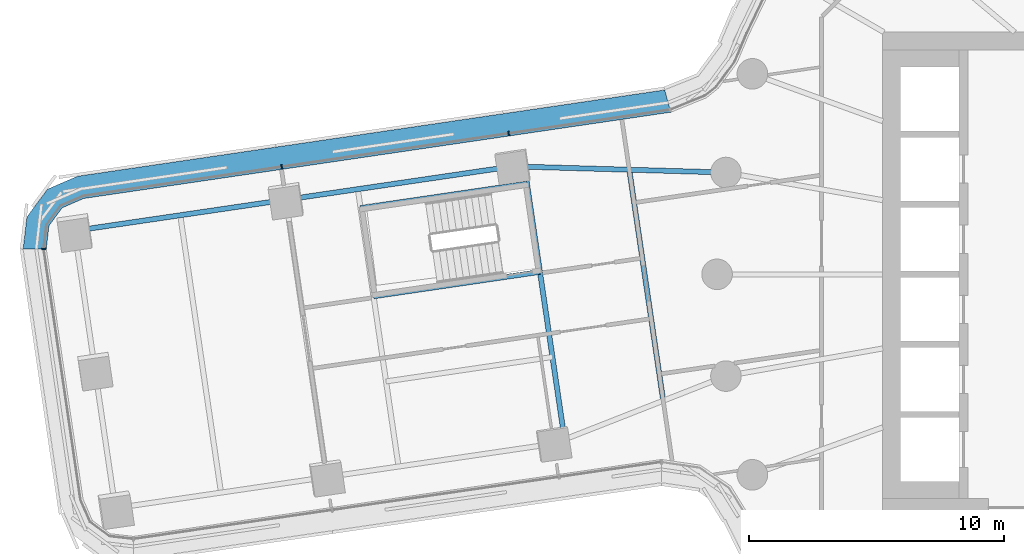
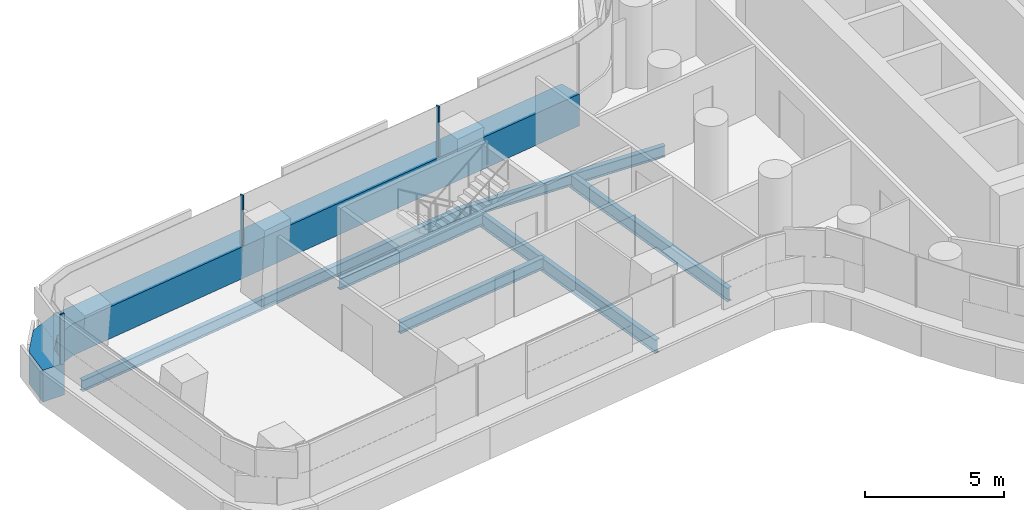
# One storey, part 6 of 31: 7 beams, 4 members, 2 elements without a shape of their own.
"""IFC4 building model written with IfcOpenShell, lengths in metres."""

from ifc_helpers import new_model, si_unit, direction, frame, origin, origin_2d, place, context, subcontext, project, spatial, polyline, rectangle, i_section, outline, extrude, material, layer, layer_set, material_profile, profile_set, type_object, element, aggregate, save


model = new_model("IFC4")

# Units and contexts
model_context = context("Model", 3, precision=1e-05, world=origin(), true_north=direction((0.0, 1.0)))
body_context = subcontext(model_context, "Body", "Model", "MODEL_VIEW")
ifc_project = project(units=[si_unit("LENGTHUNIT", "METRE"), si_unit("AREAUNIT", "SQUARE_METRE"), si_unit("VOLUMEUNIT", "CUBIC_METRE"), si_unit("PLANEANGLEUNIT", "RADIAN"), si_unit("MASSUNIT", "GRAM", prefix="KILO")], contexts=[model_context])

# Site, building, storey
site_placement = place(None, origin())
site = spatial("IfcSite", under=ifc_project, at=site_placement, CompositionType="ELEMENT")
building_placement = place(site_placement, origin())
building = spatial("IfcBuilding", under=site, at=building_placement, Name="Tamarind Cross Interchange Tower", CompositionType="ELEMENT")
storey_placement = place(building_placement, frame((0.0, 0.0, 64.0)))
storey = spatial("IfcBuildingStorey", under=building, at=storey_placement, Name="L14", CompositionType="ELEMENT", Elevation=64.0)

# Beams
ifc_material_1 = material(Name="Steel Q355B", Category="steel")
ifc_material_profile_1 = material_profile(ifc_material_1, i_section(OverallWidth=0.198974609375, OverallDepth=0.49609375, WebThickness=0.009033203125, FlangeThickness=0.013916015625, FilletRadius=0.012939453125, at=origin_2d()), Name="HN 496x199x9x14")
ifc_profile_set_1 = profile_set([ifc_material_profile_1], Name="Steel Q355B")
beam_type_1 = type_object("IfcBeamType", Name="Composite beam HN 496x199x9x14 Q355B", PredefinedType="BEAM", material=ifc_profile_set_1)
beam_1_placement = place(storey_placement, frame((-48.209228515625, 1.708251953125, -0.387939453125), z_axis=(0.989378362576, 0.145363185388, 0.0), x_axis=(-0.145363185388, 0.989378362576, 0.0)))
element("IfcBeam", 1, at=beam_1_placement, inside=storey, type_object=beam_type_1, Name="Beam W-edgeem5", PredefinedType="BEAM", context=body_context, shape_type="SweptSolid", body=[
    extrude(i_section(OverallWidth=0.198974609375, OverallDepth=0.49609375, WebThickness=0.009033203125, FlangeThickness=0.013916015625, FilletRadius=0.012939453125, at=origin_2d()), origin(), (0.0, 0.0, 1.0), 8.382568359375),
])
beam_2_placement = place(storey_placement, frame((-39.915771484375, 2.9267578125, -0.387939453125), z_axis=(0.989377387865, 0.145369819361, 0.0), x_axis=(-0.145369819361, 0.989377387865, 0.0)))
element("IfcBeam", 2, at=beam_2_placement, inside=storey, type_object=beam_type_1, Name="Beam W-edgeem6", PredefinedType="BEAM", context=body_context, shape_type="SweptSolid", body=[
    extrude(i_section(OverallWidth=0.198974609375, OverallDepth=0.49609375, WebThickness=0.009033203125, FlangeThickness=0.013916015625, FilletRadius=0.012939453125, at=origin_2d()), origin(), (0.0, 0.0, 1.0), 9.000244140625),
])
beam_3_placement = place(storey_placement, frame((-31.01123046875, 4.235107421875, -0.387939453125), z_axis=(0.99958407164, -0.028838927224, 0.0), x_axis=(0.028838927224, 0.99958407164, 0.0)))
element("IfcBeam", 3, at=beam_3_placement, inside=storey, type_object=beam_type_1, Name="Beam W-linkem", PredefinedType="BEAM", context=body_context, shape_type="SweptSolid", body=[
    extrude(i_section(OverallWidth=0.198974609375, OverallDepth=0.49609375, WebThickness=0.009033203125, FlangeThickness=0.013916015625, FilletRadius=0.012939453125, at=origin_2d()), origin(), (0.0, 0.0, 1.0), 8.364013671875),
])
for number, where, z_axis, x_axis, name in (
    (4, (-30.45703125, 3.558349609375, -0.387939453125), (-0.98938245698, -0.145335315118, 0.0), (0.145335315118, -0.98938245698, 0.0), "Beam W-tr0"),
    (5, (-29.9482421875, 0.095703125, -0.387939453125), (-0.989377137413, -0.14537152391, 0.0), (0.14537152391, -0.989377137413, 0.0), "Beam W-tr1"),
):
    element("IfcBeam", number, at=place(storey_placement, frame(where, z_axis=z_axis, x_axis=x_axis)), inside=storey, type_object=beam_type_1, Name=name, PredefinedType="BEAM", context=body_context, shape_type="SweptSolid", body=[
        extrude(i_section(OverallWidth=0.198974609375, OverallDepth=0.49609375, WebThickness=0.009033203125, FlangeThickness=0.013916015625, FilletRadius=0.012939453125, at=origin_2d()), origin(), (0.0, 0.0, 1.0), 6.60009765625),
    ])
ifc_material_profile_2 = material_profile(ifc_material_1, i_section(OverallWidth=0.199951171875, OverallDepth=0.60009765625, WebThickness=0.010986328125, FlangeThickness=0.01708984375, FilletRadius=0.012939453125, at=origin_2d()), Name="HN 600x200x11x17")
ifc_profile_set_2 = profile_set([ifc_material_profile_2], Name="Steel Q355B")
beam_type_2 = type_object("IfcBeamType", Name="Composite beam HN 600x200x11x17 Q355B", PredefinedType="BEAM", material=ifc_profile_set_2)
beam_4_placement = place(storey_placement, frame((-30.5546875, 4.221923828125, -0.43994140625), z_axis=(0.145364023141, -0.98937823949, 0.0), x_axis=(0.98937823949, 0.145364023141, 0.0)))
element("IfcBeam", 6, at=beam_4_placement, inside=storey, type_object=beam_type_2, Name="Beam W-x298", PredefinedType="BEAM", context=body_context, shape_type="SweptSolid", body=[
    extrude(i_section(OverallWidth=0.199951171875, OverallDepth=0.60009765625, WebThickness=0.010986328125, FlangeThickness=0.01708984375, FilletRadius=0.012939453125, at=origin_2d()), origin(), (0.0, 0.0, 1.0), 10.816162109375),
])
beam_5_placement = place(storey_placement, frame((-26.443603515625, 4.103271484375, -0.43994140625), z_axis=(0.145352814872, -0.989379886196, 0.0), x_axis=(0.989379886196, 0.145352814872, 0.0)))
element("IfcBeam", 7, at=beam_5_placement, inside=storey, type_object=beam_type_2, Name="Beam W-x258", PredefinedType="BEAM", context=body_context, shape_type="SweptSolid", body=[
    extrude(i_section(OverallWidth=0.199951171875, OverallDepth=0.60009765625, WebThickness=0.010986328125, FlangeThickness=0.01708984375, FilletRadius=0.012939453125, at=origin_2d()), origin(), (0.0, 0.0, 1.0), 9.16064453125),
])

# Curtain wall, member
ifc_material_2 = material(Name="Aluminium 6063-T6", Category="aluminium")
ifc_layer = layer(ifc_material_2, 0.159912109375)
ifc_layer_set = layer_set([ifc_layer], Name="Aluminium 6063-T6")
curtain_wall_type = type_object("IfcCurtainWallType", Name="Office curtain wall, 9.0 m bays", PredefinedType="NOTDEFINED", material=ifc_layer_set)
curtain_wall_1_placement = place(storey_placement, origin())
curtain_wall_1 = element("IfcCurtainWall", 8, at=curtain_wall_1_placement, inside=storey, type_object=curtain_wall_type, Name="CWS-L14-15", PredefinedType="NOTDEFINED")
ifc_material_3 = material(Name="Aluminium and insulated spandrel panel", Category="aluminium")
member_type_1 = type_object("IfcMemberType", Name="Floor-edge blade transom", PredefinedType="USERDEFINED", material=ifc_material_3)
member_1_placement = place(storey_placement, origin())
member_1 = element("IfcMember", 9, at=member_1_placement, type_object=member_type_1, Name="CWT-L14-15", ObjectType="TRANSOM", PredefinedType="USERDEFINED", context=body_context, shape_type="SweptSolid", body=[
    extrude(outline(polyline([(-24.815185546875, 6.3583984375), (-47.85009765625, 2.973876953125), (-48.6904296875, 2.611083984375), (-49.21240234375, 1.9091796875), (-49.318115234375, 1.0), (-50.225830078125, 0.986328125), (-50.078369140625, 2.2529296875), (-49.2685546875, 3.341552734375), (-48.09814453125, 3.84716796875), (-25.052978515625, 7.23291015625), (-24.815185546875, 6.3583984375)])), origin(), (0.0, 0.0, 1.0), 1.39990234375),
])

curtain_wall_2_placement = place(storey_placement, origin())
curtain_wall_2 = element("IfcCurtainWall", 10, at=curtain_wall_2_placement, inside=storey, type_object=curtain_wall_type, Name="CWS-L14-00", PredefinedType="NOTDEFINED")
ifc_material_profile_3 = material_profile(ifc_material_2, rectangle(XDim=0.06005859375, YDim=0.159912109375, at=origin_2d()), Name="Mullion CW1")
ifc_profile_set_3 = profile_set([ifc_material_profile_3], Name="Aluminium 6063-T6")
member_type_2 = type_object("IfcMemberType", Name="Mullion CW1", PredefinedType="MULLION", material=ifc_profile_set_3)
member_2_placement = place(storey_placement, frame((-49.4189453125, 0.99853515625, 1.39990234375), z_axis=(0.0, 0.0, 1.0), x_axis=(0.014981345838, -0.999887773341, 0.0)))
member_2 = element("IfcMember", 11, at=member_2_placement, type_object=member_type_2, Name="CWM-L14-00-00", PredefinedType="MULLION", context=body_context, shape_type="SweptSolid", body=[
    extrude(rectangle(XDim=0.06005859375, YDim=0.159912109375, at=origin_2d()), origin(), (0.0, 0.0, 1.0), 2.210205078125),
])
aggregate(curtain_wall_2, [member_2])

# Member
member_3_placement = place(storey_placement, frame((-31.176025390625, 5.52490234375, 1.39990234375), z_axis=(0.0, 0.0, 1.0), x_axis=(-0.989378136803, -0.14536472205, 0.0)))
member_3 = element("IfcMember", 12, at=member_3_placement, type_object=member_type_2, Name="CWM-L14-15-01", PredefinedType="MULLION", context=body_context, shape_type="SweptSolid", body=[
    extrude(rectangle(XDim=0.06005859375, YDim=0.159912109375, at=origin_2d()), origin(), (0.0, 0.0, 1.0), 2.210205078125),
])

member_4_placement = place(storey_placement, frame((-40.07958984375, 4.216552734375, 1.39990234375), z_axis=(0.0, 0.0, 1.0), x_axis=(-0.989378136803, -0.14536472205, 0.0)))
member_4 = element("IfcMember", 13, at=member_4_placement, type_object=member_type_2, Name="CWM-L14-15-02", PredefinedType="MULLION", context=body_context, shape_type="SweptSolid", body=[
    extrude(rectangle(XDim=0.06005859375, YDim=0.159912109375, at=origin_2d()), origin(), (0.0, 0.0, 1.0), 2.210205078125),
])

aggregate(curtain_wall_1, [member_3, member_4, member_1])

save(model, "model.ifc")
